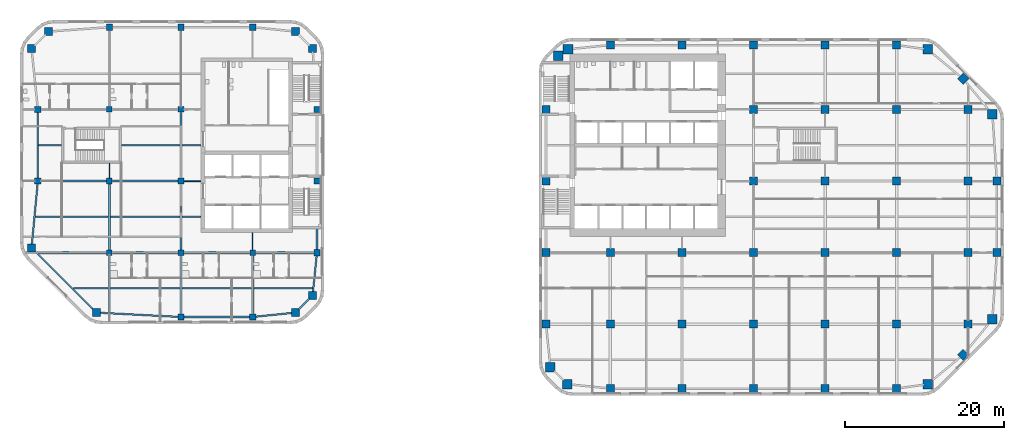
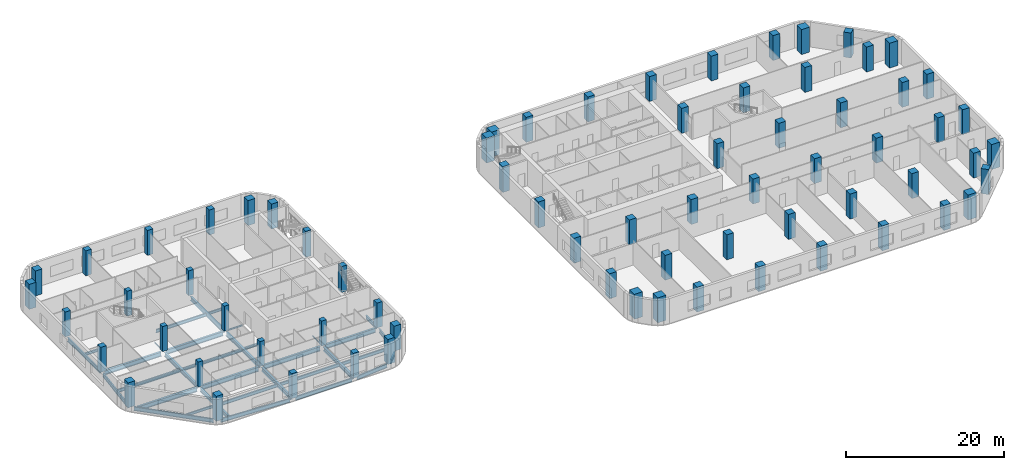
# One storey, part 1 of 16: 71 columns, 34 beams.
"""IFC4 building model written with IfcOpenShell, lengths in metres."""

import ifcopenshell
import ifcopenshell.guid

model = None  # the IFC model being written
_history = None  # IfcOwnerHistory: only IFC2X3 demands one
_inside = {}  # id of a spatial element -> (the spatial element, [elements in it])
_under = {}  # id of a project, library or spatial element -> (it, [spatial elements below it])
_declared = {}  # id of a project -> (the project, [libraries it declares])
_typed = {}  # id of a type object -> (the type object, [elements of that type])
_made_of = {}  # id of a material, layer set ... -> (it, [elements and type objects made of it])


def new_model(schema):
    """Start an empty IFC model of exactly this schema.

    Asked for "IFC4X3", IfcOpenShell would pick the latest addendum, in which some entities
    have other attributes; the version numbers below select the first issue.
    IFC2X3 requires an IfcOwnerHistory on every rooted entity: one is made here for all.
    """
    global model, _history
    if schema == "IFC4X3":
        model = ifcopenshell.file(schema_version=(4, 3, 0, 0))
    else:
        model = ifcopenshell.file(schema=schema)
    _inside.clear()
    _under.clear()
    _declared.clear()
    _typed.clear()
    _made_of.clear()
    _history = None
    if model.schema == "IFC2X3":
        org = make("IfcOrganization", Name="unknown")
        user = make(
            "IfcPersonAndOrganization",
            ThePerson=make("IfcPerson", FamilyName="unknown"),
            TheOrganization=org,
        )
        app = make(
            "IfcApplication",
            ApplicationDeveloper=org,
            Version="unknown",
            ApplicationFullName="unknown",
            ApplicationIdentifier="unknown",
        )
        _history = make(
            "IfcOwnerHistory",
            OwningUser=user,
            OwningApplication=app,
            ChangeAction="ADDED",
            CreationDate=0,
        )
    return model


def make(cls, **values):
    """One entity of the class cls with the attributes given. An attribute that is None is left unset."""
    return model.create_entity(
        cls, **{name: value for name, value in values.items() if value is not None}
    )


def rooted(cls, **values):
    """An entity with a GlobalId (a new one), such as an element, a storey or a relation."""
    return make(cls, GlobalId=ifcopenshell.guid.new(), OwnerHistory=_history, **values)


def si_unit(unit_type, name, prefix=None):
    """IfcSIUnit, for example si_unit("LENGTHUNIT", "METRE", prefix="MILLI")."""
    return make("IfcSIUnit", UnitType=unit_type, Prefix=prefix, Name=name)


def assignment(units):
    """IfcUnitAssignment: the units of a project."""
    return None if units is None else make("IfcUnitAssignment", Units=units)


def point(xyz):
    """IfcCartesianPoint."""
    return None if xyz is None else make("IfcCartesianPoint", Coordinates=xyz)


def direction(xyz):
    """IfcDirection."""
    return None if xyz is None else make("IfcDirection", DirectionRatios=xyz)


def frame(location, z_axis=None, x_axis=None):
    """IfcAxis2Placement3D, a coordinate frame: its origin and axes. An axis left out is left unset."""
    return make(
        "IfcAxis2Placement3D",
        Location=point(location),
        Axis=direction(z_axis),
        RefDirection=direction(x_axis),
    )


def frame_2d(location, x_axis=None):
    """IfcAxis2Placement2D, a coordinate frame in the plane: its origin and x axis."""
    return make(
        "IfcAxis2Placement2D", Location=point(location), RefDirection=direction(x_axis)
    )


def origin():
    """The frame at (0, 0, 0) with its axes left unset."""
    return frame((0.0, 0.0, 0.0))


def origin_2d():
    """The frame at (0, 0) in the plane with its x axis left unset."""
    return frame_2d((0.0, 0.0))


def place(relative_to, where):
    """IfcLocalPlacement: puts the frame where relative to a parent placement (None: the world)."""
    return make(
        "IfcLocalPlacement", PlacementRelTo=relative_to, RelativePlacement=where
    )


def context(
    kind, dimensions, precision=None, world=None, true_north=None, identifier=None
):
    """IfcGeometricRepresentationContext, for example the 3D "Model" context."""
    return make(
        "IfcGeometricRepresentationContext",
        ContextIdentifier=identifier,
        ContextType=kind,
        CoordinateSpaceDimension=dimensions,
        Precision=precision,
        WorldCoordinateSystem=world,
        TrueNorth=true_north,
    )


def subcontext(parent, identifier, kind, view, scale=None):
    """IfcGeometricRepresentationSubContext, for example "Body" below "Model"."""
    return make(
        "IfcGeometricRepresentationSubContext",
        ContextIdentifier=identifier,
        ContextType=kind,
        ParentContext=parent,
        TargetScale=scale,
        TargetView=view,
    )


def project(units=None, contexts=None):
    """IfcProject with its units and contexts."""
    return rooted(
        "IfcProject",
        Name="project",
        RepresentationContexts=contexts,
        UnitsInContext=assignment(units),
    )


def spatial(cls, under=None, at=None, **own):
    """A site, building, storey or space (cls), placed at a placement, below another one or the project."""
    s = rooted(cls, ObjectPlacement=at, **own)
    if under is not None:
        _under.setdefault(under.id(), (under, []))[1].append(s)
    return s


def profile(cls, at=None, kind="AREA", **sizes):
    """A parametric profile (cls). Its sizes go by their IFC names, for example OverallWidth=200.0."""
    return make(cls, ProfileType=kind, Position=at, **sizes)


def rectangle(**sizes):
    """IfcRectangleProfileDef."""
    return profile("IfcRectangleProfileDef", **sizes)


def i_section(**sizes):
    """IfcIShapeProfileDef."""
    return profile("IfcIShapeProfileDef", **sizes)


def extrude(swept, where, along, depth):
    """IfcExtrudedAreaSolid: the profile swept, set in the frame where, extruded along a direction by depth."""
    return make(
        "IfcExtrudedAreaSolid",
        SweptArea=swept,
        Position=where,
        ExtrudedDirection=direction(along),
        Depth=depth,
    )


def shape(context_of_items, identifier, shape_type, items):
    """IfcShapeRepresentation: the items that make up one representation, for example the "Body"."""
    return make(
        "IfcShapeRepresentation",
        ContextOfItems=context_of_items,
        RepresentationIdentifier=identifier,
        RepresentationType=shape_type,
        Items=items,
    )


def material(Name=None, Category=None):
    """IfcMaterial."""
    return make("IfcMaterial", Name=Name, Category=Category)


def material_profile(
    of_material, cross_section, Name=None, Category=None, Priority=None
):
    """IfcMaterialProfile: a cross section and its material."""
    return make(
        "IfcMaterialProfile",
        Name=Name,
        Material=of_material,
        Profile=cross_section,
        Priority=Priority,
        Category=Category,
    )


def profile_set(profiles, Name=None, composite=None):
    """IfcMaterialProfileSet."""
    return make(
        "IfcMaterialProfileSet",
        Name=Name,
        MaterialProfiles=profiles,
        CompositeProfile=composite,
    )


def made_of(thing, what):
    """Note that an element or type object is made of a material, layer set ...; save() writes the relation."""
    if what is not None:
        _made_of.setdefault(what.id(), (what, []))[1].append(thing)
    return thing


def type_object(cls, material=None, **own):
    """A type object (cls), such as IfcWallType, which elements share."""
    return made_of(rooted(cls, **own), material)


def element(
    cls,
    number,
    at=None,
    inside=None,
    cuts=None,
    type_object=None,
    material=None,
    context=None,
    identifier="Body",
    shape_type=None,
    held_by="IfcProductDefinitionShape",
    body=None,
    shapes=None,
    **own,
):
    """One element of the class cls, such as IfcWall. Its Tag is "e" and its number.

    at: its placement. inside: the storey or other place that contains it. cuts: it is an
    opening in that element (IfcRelVoidsElement). A single representation is given by context,
    identifier, shape_type and body (its items); several are given by shapes. held_by: the class
    of the entity that holds the representations. save() writes the other relations.
    """
    e = rooted(cls, Tag="e%d" % number, ObjectPlacement=at, **own)
    if body is not None:
        shapes = [shape(context, identifier, shape_type, body)]
    if shapes is not None:
        e.Representation = make(held_by, Representations=shapes)
    if inside is not None:
        _inside.setdefault(inside.id(), (inside, []))[1].append(e)
    if cuts is not None:
        rooted(
            "IfcRelVoidsElement", RelatingBuildingElement=cuts, RelatedOpeningElement=e
        )
    if type_object is not None:
        _typed.setdefault(type_object.id(), (type_object, []))[1].append(e)
    return made_of(e, material)


def aggregate(whole, parts):
    """IfcRelAggregates: a whole, such as a stair, and the parts it consists of."""
    return rooted("IfcRelAggregates", RelatingObject=whole, RelatedObjects=parts)


def save(model, path):
    """Write the relations noted so far, then the file.

    IfcRelAggregates (storeys below a building ...), IfcRelContainedInSpatialStructure (elements
    in a storey), IfcRelDefinesByType, IfcRelAssociatesMaterial and IfcRelDeclares: one each for
    every whole, place, type object, material and project.
    """
    for whole, parts in _under.values():
        aggregate(whole, parts)
    for where, things in _inside.values():
        rooted(
            "IfcRelContainedInSpatialStructure",
            RelatedElements=things,
            RelatingStructure=where,
        )
    for kind, things in _typed.values():
        rooted("IfcRelDefinesByType", RelatedObjects=things, RelatingType=kind)
    for what, things in _made_of.values():
        rooted("IfcRelAssociatesMaterial", RelatedObjects=things, RelatingMaterial=what)
    for by, libraries in _declared.values():
        rooted("IfcRelDeclares", RelatingContext=by, RelatedDefinitions=libraries)
    model.write(path)


model = new_model("IFC4")

# Units and contexts
model_context = context("Model", 3, precision=1e-05, world=origin(), true_north=direction((0.0, 1.0)))
body_context = subcontext(model_context, "Body", "Model", "MODEL_VIEW")
ifc_project = project(units=[si_unit("LENGTHUNIT", "METRE"), si_unit("AREAUNIT", "SQUARE_METRE"), si_unit("VOLUMEUNIT", "CUBIC_METRE"), si_unit("PLANEANGLEUNIT", "RADIAN"), si_unit("MASSUNIT", "GRAM", prefix="KILO")], contexts=[model_context])

# Site, building, storey
site_placement = place(None, origin())
site = spatial("IfcSite", under=ifc_project, at=site_placement, CompositionType="ELEMENT")
building_placement = place(site_placement, origin())
building = spatial("IfcBuilding", under=site, at=building_placement, Name="Cinnabar Reach Civic Tower", CompositionType="ELEMENT")
storey_placement = place(building_placement, frame((0.0, 0.0, 55.0)))
storey = spatial("IfcBuildingStorey", under=building, at=storey_placement, Name="L12", CompositionType="ELEMENT", Elevation=55.0)

# Columns
ifc_material_1 = material(Name="Concrete C70", Category="concrete")
ifc_material_profile_1 = material_profile(ifc_material_1, rectangle(XDim=1.0, YDim=1.0, at=origin_2d()), Name="RC1000")
ifc_profile_set_1 = profile_set([ifc_material_profile_1], Name="Concrete C70")
column_type_1 = type_object("IfcColumnType", Name="RC1000 column R 180", PredefinedType="COLUMN", material=ifc_profile_set_1)
for number, where, z_axis, x_axis, name in (
    (1, (-55.6481, 10.4531, 0.0), (0.0, 0.0, 1.0), (1.0, 0.0, 0.0), "Column T2-Z2-CC0"),
    (2, (-30.6019, 10.4531, 0.0), (0.0, 0.0, 1.0), (1.0, 0.0, 0.0), "Column T2-Z2-CC1"),
    (3, (-28.4531, 12.6019, 0.0), (0.0, 0.0, 1.0), (1.0, 0.0, 0.0), "Column T2-Z2-CC2"),
    (4, (-28.4531, 43.6481, 0.0), (0.0, 0.0, 1.0), (1.0, 0.0, 0.0), "Column T2-Z2-CC3"),
    (5, (-30.6019, 45.7969, 0.0), (0.0, 0.0, 1.0), (1.0, 0.0, 0.0), "Column T2-Z2-CC4"),
    (6, (-61.6481, 45.7969, 0.0), (0.0, 0.0, 1.0), (1.0, 0.0, 0.0), "Column T2-Z2-CC5"),
    (7, (-63.7969, 43.6481, 0.0), (0.0, 0.0, 1.0), (1.0, 0.0, 0.0), "Column T2-Z2-CC6"),
    (8, (-63.7969, 18.6019, 0.0), (0.0, 0.0, 1.0), (1.0, 0.0, 0.0), "Column T2-Z2-CC7"),
):
    element("IfcColumn", number, at=place(storey_placement, frame(where, z_axis=z_axis, x_axis=x_axis)), inside=storey, type_object=column_type_1, Name=name, PredefinedType="COLUMN", context=body_context, shape_type="SweptSolid", body=[
        extrude(rectangle(XDim=1.0, YDim=1.0, at=origin_2d()), origin(), (0.0, 0.0, 1.0), 3.85),
    ])
ifc_material_profile_2 = material_profile(ifc_material_1, rectangle(XDim=1.0, YDim=1.0, at=origin_2d()), Name="RC1000")
ifc_profile_set_2 = profile_set([ifc_material_profile_2], Name="Concrete C70")
column_type_2 = type_object("IfcColumnType", Name="RC1000 column R 240", PredefinedType="COLUMN", material=ifc_profile_set_2)
for number, where, z_axis, x_axis, name in (
    (9, (9.0, 0.9, 0.0), (0.0, 0.0, 1.0), (1.0, 0.0, 0.0), "Column T1-Z1-F0-1"),
    (10, (18.0, 0.9, 0.0), (0.0, 0.0, 1.0), (1.0, 0.0, 0.0), "Column T1-Z1-F0-2"),
    (11, (27.0, 0.9, 0.0), (0.0, 0.0, 1.0), (1.0, 0.0, 0.0), "Column T1-Z1-F0-3"),
    (12, (36.0, 0.9, 0.0), (0.0, 0.0, 1.0), (1.0, 0.0, 0.0), "Column T1-Z1-F0-4"),
    (13, (45.0, 0.9, 0.0), (0.0, 0.0, 1.0), (1.0, 0.0, 0.0), "Column T1-Z1-F0-5"),
    (14, (53.3636, 5.1364, 0.0), (0.0, 0.0, 1.0), (0.707106781187, 0.707106781187, 0.0), "Column T1-Z1-F1-M"),
    (15, (57.6, 18.0, 0.0), (0.0, 0.0, 1.0), (1.0, 0.0, 0.0), "Column T1-Z1-F2-2"),
    (16, (57.6, 27.0, 0.0), (0.0, 0.0, 1.0), (1.0, 0.0, 0.0), "Column T1-Z1-F2-3"),
    (17, (53.3636, 39.8636, 0.0), (0.0, 0.0, 1.0), (0.707106781187, 0.707106781187, 0.0), "Column T1-Z1-F3-M"),
    (18, (9.0, 44.1, 0.0), (0.0, 0.0, 1.0), (1.0, 0.0, 0.0), "Column T1-Z1-F4-1"),
    (19, (18.0, 44.1, 0.0), (0.0, 0.0, 1.0), (1.0, 0.0, 0.0), "Column T1-Z1-F4-2"),
    (20, (27.0, 44.1, 0.0), (0.0, 0.0, 1.0), (1.0, 0.0, 0.0), "Column T1-Z1-F4-3"),
    (21, (36.0, 44.1, 0.0), (0.0, 0.0, 1.0), (1.0, 0.0, 0.0), "Column T1-Z1-F4-4"),
    (22, (45.0, 44.1, 0.0), (0.0, 0.0, 1.0), (1.0, 0.0, 0.0), "Column T1-Z1-F4-5"),
    (23, (0.9, 9.0, 0.0), (0.0, 0.0, 1.0), (1.0, 0.0, 0.0), "Column T1-Z1-F6-1"),
    (24, (0.9, 18.0, 0.0), (0.0, 0.0, 1.0), (1.0, 0.0, 0.0), "Column T1-Z1-F6-2"),
):
    element("IfcColumn", number, at=place(storey_placement, frame(where, z_axis=z_axis, x_axis=x_axis)), inside=storey, type_object=column_type_2, Name=name, PredefinedType="COLUMN", context=body_context, shape_type="SweptSolid", body=[
        extrude(rectangle(XDim=1.0, YDim=1.0, at=origin_2d()), origin(), (0.0, 0.0, 1.0), 3.85),
    ])
for number, where, z_axis, x_axis, name in (
    (25, (0.9, 27.0, 0.0), (0.0, 0.0, 1.0), (1.0, 0.0, 0.0), "Column T1-Z1-F6-3"),
    (26, (0.9, 36.0, 0.0), (0.0, 0.0, 1.0), (1.0, 0.0, 0.0), "Column T1-Z1-F6-4"),
):
    element("IfcColumn", number, at=place(storey_placement, frame(where, z_axis=z_axis, x_axis=x_axis)), inside=storey, type_object=column_type_2, Name=name, PredefinedType="COLUMN", context=body_context, shape_type="SweptSolid", body=[
        extrude(rectangle(XDim=1.0, YDim=1.0, at=origin_2d()), origin(), (0.0, 0.0, 1.0), 4.0),
    ])
for number, where, z_axis, x_axis, name in (
    (27, (9.0, 9.0, 0.0), (0.0, 0.0, 1.0), (1.0, 0.0, 0.0), "Column T1-Z1-I9_9"),
    (28, (9.0, 18.0, 0.0), (0.0, 0.0, 1.0), (1.0, 0.0, 0.0), "Column T1-Z1-I9_18"),
    (29, (18.0, 9.0, 0.0), (0.0, 0.0, 1.0), (1.0, 0.0, 0.0), "Column T1-Z1-I18_9"),
    (30, (18.0, 18.0, 0.0), (0.0, 0.0, 1.0), (1.0, 0.0, 0.0), "Column T1-Z1-I18_18"),
    (31, (27.0, 9.0, 0.0), (0.0, 0.0, 1.0), (1.0, 0.0, 0.0), "Column T1-Z1-I27_9"),
    (32, (27.0, 18.0, 0.0), (0.0, 0.0, 1.0), (1.0, 0.0, 0.0), "Column T1-Z1-I27_18"),
    (33, (27.0, 27.0, 0.0), (0.0, 0.0, 1.0), (1.0, 0.0, 0.0), "Column T1-Z1-I27_27"),
    (34, (27.0, 36.0, 0.0), (0.0, 0.0, 1.0), (1.0, 0.0, 0.0), "Column T1-Z1-I27_36"),
    (35, (36.0, 9.0, 0.0), (0.0, 0.0, 1.0), (1.0, 0.0, 0.0), "Column T1-Z1-I36_9"),
    (36, (36.0, 18.0, 0.0), (0.0, 0.0, 1.0), (1.0, 0.0, 0.0), "Column T1-Z1-I36_18"),
    (37, (36.0, 27.0, 0.0), (0.0, 0.0, 1.0), (1.0, 0.0, 0.0), "Column T1-Z1-I36_27"),
    (38, (36.0, 36.0, 0.0), (0.0, 0.0, 1.0), (1.0, 0.0, 0.0), "Column T1-Z1-I36_36"),
    (39, (45.0, 9.0, 0.0), (0.0, 0.0, 1.0), (1.0, 0.0, 0.0), "Column T1-Z1-I45_9"),
    (40, (45.0, 18.0, 0.0), (0.0, 0.0, 1.0), (1.0, 0.0, 0.0), "Column T1-Z1-I45_18"),
    (41, (45.0, 27.0, 0.0), (0.0, 0.0, 1.0), (1.0, 0.0, 0.0), "Column T1-Z1-I45_27"),
    (42, (45.0, 36.0, 0.0), (0.0, 0.0, 1.0), (1.0, 0.0, 0.0), "Column T1-Z1-I45_36"),
    (43, (54.0, 9.0, 0.0), (0.0, 0.0, 1.0), (1.0, 0.0, 0.0), "Column T1-Z1-I54_9"),
    (44, (54.0, 18.0, 0.0), (0.0, 0.0, 1.0), (1.0, 0.0, 0.0), "Column T1-Z1-I54_18"),
    (45, (54.0, 27.0, 0.0), (0.0, 0.0, 1.0), (1.0, 0.0, 0.0), "Column T1-Z1-I54_27"),
    (46, (54.0, 36.0, 0.0), (0.0, 0.0, 1.0), (1.0, 0.0, 0.0), "Column T1-Z1-I54_36"),
):
    element("IfcColumn", number, at=place(storey_placement, frame(where, z_axis=z_axis, x_axis=x_axis)), inside=storey, type_object=column_type_2, Name=name, PredefinedType="COLUMN", context=body_context, shape_type="SweptSolid", body=[
        extrude(rectangle(XDim=1.0, YDim=1.0, at=origin_2d()), origin(), (0.0, 0.0, 1.0), 3.85),
    ])
ifc_material_2 = material(Name="Concrete C80", Category="concrete")
ifc_material_profile_3 = material_profile(ifc_material_2, rectangle(XDim=1.2, YDim=1.2, at=origin_2d()), Name="RC1200")
ifc_profile_set_3 = profile_set([ifc_material_profile_3], Name="Concrete C80")
column_type_3 = type_object("IfcColumnType", Name="RC1200 column R 240", PredefinedType="COLUMN", material=ifc_profile_set_3)
for number, where, z_axis, x_axis, name in (
    (47, (3.6019, 1.4531, 0.0), (0.0, 0.0, 1.0), (1.0, 0.0, 0.0), "Column T1-Z1-CC0"),
    (48, (48.8981, 1.4531, 0.0), (0.0, 0.0, 1.0), (1.0, 0.0, 0.0), "Column T1-Z1-CC1"),
    (49, (57.0469, 9.6019, 0.0), (0.0, 0.0, 1.0), (1.0, 0.0, 0.0), "Column T1-Z1-CC2"),
    (50, (57.0469, 35.3981, 0.0), (0.0, 0.0, 1.0), (1.0, 0.0, 0.0), "Column T1-Z1-CC3"),
    (51, (48.8981, 43.5469, 0.0), (0.0, 0.0, 1.0), (1.0, 0.0, 0.0), "Column T1-Z1-CC4"),
    (52, (3.6666, 43.5737, 0.0), (0.0, 0.0, 1.0), (1.0, 0.0, 0.0), "Column T1-Z1-CC5"),
    (53, (2.4631, 42.75, 0.0), (0.0, 0.0, 1.0), (1.0, 0.0, 0.0), "Column T1-Z1-CC6"),
    (54, (1.4531, 3.6019, 0.0), (0.0, 0.0, 1.0), (1.0, 0.0, 0.0), "Column T1-Z1-CC7"),
):
    element("IfcColumn", number, at=place(storey_placement, frame(where, z_axis=z_axis, x_axis=x_axis)), inside=storey, type_object=column_type_3, Name=name, PredefinedType="COLUMN", context=body_context, shape_type="SweptSolid", body=[
        extrude(rectangle(XDim=1.2, YDim=1.2, at=origin_2d()), origin(), (0.0, 0.0, 1.0), 3.85),
    ])
ifc_material_3 = material(Name="Concrete C60", Category="concrete")
ifc_material_profile_4 = material_profile(ifc_material_3, rectangle(XDim=0.7, YDim=0.7, at=origin_2d()), Name="RC700")
ifc_profile_set_4 = profile_set([ifc_material_profile_4], Name="Concrete C60")
column_type_4 = type_object("IfcColumnType", Name="RC700 column R 180", PredefinedType="COLUMN", material=ifc_profile_set_4)
for number, where, z_axis, x_axis, name in (
    (55, (-54.0, 18.0, 0.0), (0.0, 0.0, 1.0), (1.0, 0.0, 0.0), "Column T2-Z2-I-54_18"),
    (56, (-54.0, 27.0, 0.0), (0.0, 0.0, 1.0), (1.0, 0.0, 0.0), "Column T2-Z2-I-54_27"),
    (57, (-54.0, 36.0, 0.0), (0.0, 0.0, 1.0), (1.0, 0.0, 0.0), "Column T2-Z2-I-54_36"),
    (58, (-45.0, 18.0, 0.0), (0.0, 0.0, 1.0), (1.0, 0.0, 0.0), "Column T2-Z2-I-45_18"),
    (59, (-45.0, 27.0, 0.0), (0.0, 0.0, 1.0), (1.0, 0.0, 0.0), "Column T2-Z2-I-45_27"),
    (60, (-45.0, 36.0, 0.0), (0.0, 0.0, 1.0), (1.0, 0.0, 0.0), "Column T2-Z2-I-45_36"),
    (61, (-36.0, 18.0, 0.0), (0.0, 0.0, 1.0), (1.0, 0.0, 0.0), "Column T2-Z2-I-36_18"),
):
    element("IfcColumn", number, at=place(storey_placement, frame(where, z_axis=z_axis, x_axis=x_axis)), inside=storey, type_object=column_type_4, Name=name, PredefinedType="COLUMN", context=body_context, shape_type="SweptSolid", body=[
        extrude(rectangle(XDim=0.7, YDim=0.7, at=origin_2d()), origin(), (0.0, 0.0, 1.0), 3.85),
    ])
ifc_material_profile_5 = material_profile(ifc_material_3, rectangle(XDim=0.8, YDim=0.8, at=origin_2d()), Name="RC800")
ifc_profile_set_5 = profile_set([ifc_material_profile_5], Name="Concrete C60")
column_type_5 = type_object("IfcColumnType", Name="RC800 column R 180", PredefinedType="COLUMN", material=ifc_profile_set_5)
for number, where, z_axis, x_axis, name in (
    (62, (-45.0, 9.9, 0.0), (0.0, 0.0, 1.0), (1.0, 0.0, 0.0), "Column T2-Z2-F0--5"),
    (63, (-36.0, 9.9, 0.0), (0.0, 0.0, 1.0), (1.0, 0.0, 0.0), "Column T2-Z2-F0--4"),
    (64, (-27.9, 18.0, 0.0), (0.0, 0.0, 1.0), (1.0, 0.0, 0.0), "Column T2-Z2-F2-2"),
):
    element("IfcColumn", number, at=place(storey_placement, frame(where, z_axis=z_axis, x_axis=x_axis)), inside=storey, type_object=column_type_5, Name=name, PredefinedType="COLUMN", context=body_context, shape_type="SweptSolid", body=[
        extrude(rectangle(XDim=0.8, YDim=0.8, at=origin_2d()), origin(), (0.0, 0.0, 1.0), 3.85),
    ])
for number, where, z_axis, x_axis, name in (
    (65, (-27.9, 27.0, 0.0), (0.0, 0.0, 1.0), (1.0, 0.0, 0.0), "Column T2-Z2-F2-3"),
    (66, (-27.9, 36.0, 0.0), (0.0, 0.0, 1.0), (1.0, 0.0, 0.0), "Column T2-Z2-F2-4"),
):
    element("IfcColumn", number, at=place(storey_placement, frame(where, z_axis=z_axis, x_axis=x_axis)), inside=storey, type_object=column_type_5, Name=name, PredefinedType="COLUMN", context=body_context, shape_type="SweptSolid", body=[
        extrude(rectangle(XDim=0.8, YDim=0.8, at=origin_2d()), origin(), (0.0, 0.0, 1.0), 4.0),
    ])
for number, where, z_axis, x_axis, name in (
    (67, (-54.0, 46.35, 0.0), (0.0, 0.0, 1.0), (1.0, 0.0, 0.0), "Column T2-Z2-F4--6"),
    (68, (-45.0, 46.35, 0.0), (0.0, 0.0, 1.0), (1.0, 0.0, 0.0), "Column T2-Z2-F4--5"),
    (69, (-36.0, 46.35, 0.0), (0.0, 0.0, 1.0), (1.0, 0.0, 0.0), "Column T2-Z2-F4--4"),
    (70, (-63.0, 27.0, 0.0), (0.0, 0.0, 1.0), (1.0, 0.0, 0.0), "Column T2-Z2-F6-3"),
    (71, (-63.0, 36.0, 0.0), (0.0, 0.0, 1.0), (1.0, 0.0, 0.0), "Column T2-Z2-F6-4"),
):
    element("IfcColumn", number, at=place(storey_placement, frame(where, z_axis=z_axis, x_axis=x_axis)), inside=storey, type_object=column_type_5, Name=name, PredefinedType="COLUMN", context=body_context, shape_type="SweptSolid", body=[
        extrude(rectangle(XDim=0.8, YDim=0.8, at=origin_2d()), origin(), (0.0, 0.0, 1.0), 3.85),
    ])

# Beams
ifc_material_4 = material(Name="Steel Q355B", Category="steel")
ifc_material_profile_6 = material_profile(ifc_material_4, i_section(OverallWidth=0.302, OverallDepth=0.594, WebThickness=0.014, FlangeThickness=0.023, FilletRadius=0.016, at=origin_2d()), Name="HM594x302x14x23")
ifc_profile_set_6 = profile_set([ifc_material_profile_6], Name="Steel Q355B")
beam_type_1 = type_object("IfcBeamType", Name="HM594x302x14x23 beam R 120", PredefinedType="BEAM", material=ifc_profile_set_6)
beam_1_placement = place(storey_placement, frame((-54.0, 10.4696, -0.447), z_axis=(0.0, 1.0, 0.0), x_axis=(-1.0, 0.0, 0.0)))
element("IfcBeam", 72, at=beam_1_placement, inside=storey, type_object=beam_type_1, Name="Girder T2 L12 1", PredefinedType="BEAM", context=body_context, shape_type="SweptSolid", body=[
    extrude(i_section(OverallWidth=0.302, OverallDepth=0.594, WebThickness=0.014, FlangeThickness=0.023, FilletRadius=0.016, at=origin_2d()), origin(), (0.0, 0.0, 1.0), 7.1784),
])
beam_2_placement = place(storey_placement, frame((-54.0, 18.352, -0.447), z_axis=(0.0, 1.0, 0.0), x_axis=(-1.0, 0.0, 0.0)))
element("IfcBeam", 73, at=beam_2_placement, inside=storey, type_object=beam_type_1, Name="Girder T2 L12 2", PredefinedType="BEAM", context=body_context, shape_type="SweptSolid", body=[
    extrude(i_section(OverallWidth=0.302, OverallDepth=0.594, WebThickness=0.014, FlangeThickness=0.023, FilletRadius=0.016, at=origin_2d()), origin(), (0.0, 0.0, 1.0), 8.296),
])
beam_3_placement = place(storey_placement, frame((-45.0, 10.302, -0.447), z_axis=(0.0, 1.0, 0.0), x_axis=(-1.0, 0.0, 0.0)))
element("IfcBeam", 74, at=beam_3_placement, inside=storey, type_object=beam_type_1, Name="Girder T2 L12 6", PredefinedType="BEAM", context=body_context, shape_type="SweptSolid", body=[
    extrude(i_section(OverallWidth=0.302, OverallDepth=0.594, WebThickness=0.014, FlangeThickness=0.023, FilletRadius=0.016, at=origin_2d()), origin(), (0.0, 0.0, 1.0), 7.346),
])
for number, where, z_axis, x_axis, name in (
    (75, (-45.0, 18.352, -0.447), (0.0, 1.0, 0.0), (-1.0, 0.0, 0.0), "Girder T2 L12 7"),
    (76, (-45.0, 27.352, -0.447), (0.0, 1.0, 0.0), (-1.0, 0.0, 0.0), "Girder T2 L12 8"),
):
    element("IfcBeam", number, at=place(storey_placement, frame(where, z_axis=z_axis, x_axis=x_axis)), inside=storey, type_object=beam_type_1, Name=name, PredefinedType="BEAM", context=body_context, shape_type="SweptSolid", body=[
        extrude(i_section(OverallWidth=0.302, OverallDepth=0.594, WebThickness=0.014, FlangeThickness=0.023, FilletRadius=0.016, at=origin_2d()), origin(), (0.0, 0.0, 1.0), 8.296),
    ])
beam_4_placement = place(storey_placement, frame((-36.0, 10.302, -0.447), z_axis=(0.0, 1.0, 0.0), x_axis=(-1.0, 0.0, 0.0)))
element("IfcBeam", 77, at=beam_4_placement, inside=storey, type_object=beam_type_1, Name="Girder T2 L12 10", PredefinedType="BEAM", context=body_context, shape_type="SweptSolid", body=[
    extrude(i_section(OverallWidth=0.302, OverallDepth=0.594, WebThickness=0.014, FlangeThickness=0.023, FilletRadius=0.016, at=origin_2d()), origin(), (0.0, 0.0, 1.0), 7.346),
])
ifc_material_profile_7 = material_profile(ifc_material_4, i_section(OverallWidth=0.099, OverallDepth=0.198, WebThickness=0.0045, FlangeThickness=0.007, FilletRadius=0.013, at=origin_2d()), Name="HN200x100x5.5x8")
ifc_profile_set_7 = profile_set([ifc_material_profile_7], Name="Steel Q355B")
beam_type_2 = type_object("IfcBeamType", Name="HN200x100x5.5x8 beam R 120", PredefinedType="BEAM", material=ifc_profile_set_7)
beam_5_placement = place(storey_placement, frame((-54.0, 27.352, -0.249), z_axis=(0.0, 1.0, 0.0), x_axis=(-1.0, 0.0, 0.0)))
element("IfcBeam", 78, at=beam_5_placement, inside=storey, type_object=beam_type_2, Name="Girder T2 L12 3", PredefinedType="BEAM", context=body_context, shape_type="SweptSolid", body=[
    extrude(i_section(OverallWidth=0.099, OverallDepth=0.198, WebThickness=0.0045, FlangeThickness=0.007, FilletRadius=0.013, at=origin_2d()), origin(), (0.0, 0.0, 1.0), 1.896),
])
beam_6_placement = place(storey_placement, frame((-36.0, 18.352, -0.249), z_axis=(0.0, 1.0, 0.0), x_axis=(-1.0, 0.0, 0.0)))
element("IfcBeam", 79, at=beam_6_placement, inside=storey, type_object=beam_type_2, Name="Girder T2 L12 11", PredefinedType="BEAM", context=body_context, shape_type="SweptSolid", body=[
    extrude(i_section(OverallWidth=0.099, OverallDepth=0.198, WebThickness=0.0045, FlangeThickness=0.007, FilletRadius=0.013, at=origin_2d()), origin(), (0.0, 0.0, 1.0), 2.146),
])
ifc_material_profile_8 = material_profile(ifc_material_4, i_section(OverallWidth=0.124, OverallDepth=0.248, WebThickness=0.005, FlangeThickness=0.008, FilletRadius=0.013, at=origin_2d()), Name="HN250x125x6x9")
ifc_profile_set_8 = profile_set([ifc_material_profile_8], Name="Steel Q355B")
beam_type_3 = type_object("IfcBeamType", Name="HN250x125x6x9 beam R 120", PredefinedType="BEAM", material=ifc_profile_set_8)
beam_7_placement = place(storey_placement, frame((-44.648, 27.0, -0.274), z_axis=(1.0, 0.0, 0.0), x_axis=(0.0, 1.0, 0.0)))
element("IfcBeam", 80, at=beam_7_placement, inside=storey, type_object=beam_type_3, Name="Girder T2 L12 7", PredefinedType="BEAM", context=body_context, shape_type="SweptSolid", body=[
    extrude(i_section(OverallWidth=0.124, OverallDepth=0.248, WebThickness=0.005, FlangeThickness=0.008, FilletRadius=0.013, at=origin_2d()), origin(), (0.0, 0.0, 1.0), 2.146),
])
ifc_material_profile_9 = material_profile(ifc_material_4, i_section(OverallWidth=0.199, OverallDepth=0.396, WebThickness=0.007, FlangeThickness=0.011, FilletRadius=0.013, at=origin_2d()), Name="HN396x199x7x11")
ifc_profile_set_9 = profile_set([ifc_material_profile_9], Name="Steel Q355B")
beam_type_4 = type_object("IfcBeamType", Name="HN396x199x7x11 beam R 120", PredefinedType="BEAM", material=ifc_profile_set_9)
beam_8_placement = place(storey_placement, frame((-58.5508, 13.5, -0.348), z_axis=(1.0, 0.0, 0.0), x_axis=(0.0, 1.0, 0.0)))
element("IfcBeam", 81, at=beam_8_placement, inside=storey, type_object=beam_type_4, Name="Secondary beam T2 L12 1", PredefinedType="BEAM", context=body_context, shape_type="SweptSolid", body=[
    extrude(i_section(OverallWidth=0.199, OverallDepth=0.396, WebThickness=0.007, FlangeThickness=0.011, FilletRadius=0.013, at=origin_2d()), origin(), (0.0, 0.0, 1.0), 4.3978),
])
beam_9_placement = place(storey_placement, frame((-44.847, 22.5, -0.348), z_axis=(1.0, 0.0, 0.0), x_axis=(0.0, 1.0, 0.0)))
element("IfcBeam", 82, at=beam_9_placement, inside=storey, type_object=beam_type_4, Name="Secondary beam T2 L12 7", PredefinedType="BEAM", context=body_context, shape_type="SweptSolid", body=[
    extrude(i_section(OverallWidth=0.199, OverallDepth=0.396, WebThickness=0.007, FlangeThickness=0.011, FilletRadius=0.013, at=origin_2d()), origin(), (0.0, 0.0, 1.0), 2.345),
])
beam_10_placement = place(storey_placement, frame((-62.898, 31.5, -0.348), z_axis=(1.0, 0.0, 0.0), x_axis=(0.0, 1.0, 0.0)))
element("IfcBeam", 83, at=beam_10_placement, inside=storey, type_object=beam_type_4, Name="Secondary beam T2 L12 8", PredefinedType="BEAM", context=body_context, shape_type="SweptSolid", body=[
    extrude(i_section(OverallWidth=0.199, OverallDepth=0.396, WebThickness=0.007, FlangeThickness=0.011, FilletRadius=0.013, at=origin_2d()), origin(), (0.0, 0.0, 1.0), 2.896),
])
beam_11_placement = place(storey_placement, frame((-44.847, 31.5, -0.348), z_axis=(1.0, 0.0, 0.0), x_axis=(0.0, 1.0, 0.0)))
element("IfcBeam", 84, at=beam_11_placement, inside=storey, type_object=beam_type_4, Name="Secondary beam T2 L12 10", PredefinedType="BEAM", context=body_context, shape_type="SweptSolid", body=[
    extrude(i_section(OverallWidth=0.199, OverallDepth=0.396, WebThickness=0.007, FlangeThickness=0.011, FilletRadius=0.013, at=origin_2d()), origin(), (0.0, 0.0, 1.0), 2.345),
])
ifc_material_profile_10 = material_profile(ifc_material_4, i_section(OverallWidth=0.199, OverallDepth=0.496, WebThickness=0.009, FlangeThickness=0.014, FilletRadius=0.016, at=origin_2d()), Name="HN496x199x9x14")
ifc_profile_set_10 = profile_set([ifc_material_profile_10], Name="Steel Q355B")
beam_type_5 = type_object("IfcBeamType", Name="HN496x199x9x14 beam R 120", PredefinedType="BEAM", material=ifc_profile_set_10)
for number, where, z_axis, x_axis, name in (
    (85, (-53.847, 13.5, -0.398), (1.0, 0.0, 0.0), (0.0, 1.0, 0.0), "Secondary beam T2 L12 2"),
    (86, (-44.847, 13.5, -0.398), (1.0, 0.0, 0.0), (0.0, 1.0, 0.0), "Secondary beam T2 L12 3"),
):
    element("IfcBeam", number, at=place(storey_placement, frame(where, z_axis=z_axis, x_axis=x_axis)), inside=storey, type_object=beam_type_5, Name=name, PredefinedType="BEAM", context=body_context, shape_type="SweptSolid", body=[
        extrude(i_section(OverallWidth=0.199, OverallDepth=0.496, WebThickness=0.009, FlangeThickness=0.014, FilletRadius=0.016, at=origin_2d()), origin(), (0.0, 0.0, 1.0), 8.694),
    ])
beam_12_placement = place(storey_placement, frame((-35.847, 13.5, -0.398), z_axis=(1.0, 0.0, 0.0), x_axis=(0.0, 1.0, 0.0)))
element("IfcBeam", 87, at=beam_12_placement, inside=storey, type_object=beam_type_5, Name="Secondary beam T2 L12 4", PredefinedType="BEAM", context=body_context, shape_type="SweptSolid", body=[
    extrude(i_section(OverallWidth=0.199, OverallDepth=0.496, WebThickness=0.009, FlangeThickness=0.014, FilletRadius=0.016, at=origin_2d()), origin(), (0.0, 0.0, 1.0), 7.3834),
])
beam_13_placement = place(storey_placement, frame((-63.3245, 22.5, -0.398), z_axis=(1.0, 0.0, 0.0), x_axis=(0.0, 1.0, 0.0)))
element("IfcBeam", 88, at=beam_13_placement, inside=storey, type_object=beam_type_5, Name="Secondary beam T2 L12 5", PredefinedType="BEAM", context=body_context, shape_type="SweptSolid", body=[
    extrude(i_section(OverallWidth=0.199, OverallDepth=0.496, WebThickness=0.009, FlangeThickness=0.014, FilletRadius=0.016, at=origin_2d()), origin(), (0.0, 0.0, 1.0), 9.1715),
])
beam_14_placement = place(storey_placement, frame((-53.847, 22.5, -0.398), z_axis=(1.0, 0.0, 0.0), x_axis=(0.0, 1.0, 0.0)))
element("IfcBeam", 89, at=beam_14_placement, inside=storey, type_object=beam_type_5, Name="Secondary beam T2 L12 6", PredefinedType="BEAM", context=body_context, shape_type="SweptSolid", body=[
    extrude(i_section(OverallWidth=0.199, OverallDepth=0.496, WebThickness=0.009, FlangeThickness=0.014, FilletRadius=0.016, at=origin_2d()), origin(), (0.0, 0.0, 1.0), 8.694),
])
beam_15_placement = place(storey_placement, frame((-52.498, 31.5, -0.398), z_axis=(1.0, 0.0, 0.0), x_axis=(0.0, 1.0, 0.0)))
element("IfcBeam", 90, at=beam_15_placement, inside=storey, type_object=beam_type_5, Name="Secondary beam T2 L12 9", PredefinedType="BEAM", context=body_context, shape_type="SweptSolid", body=[
    extrude(i_section(OverallWidth=0.199, OverallDepth=0.496, WebThickness=0.009, FlangeThickness=0.014, FilletRadius=0.016, at=origin_2d()), origin(), (0.0, 0.0, 1.0), 7.345),
])
ifc_material_profile_11 = material_profile(ifc_material_4, i_section(OverallWidth=0.2, OverallDepth=0.6, WebThickness=0.011, FlangeThickness=0.017, FilletRadius=0.016, at=origin_2d()), Name="HN600x200x11x17")
ifc_profile_set_11 = profile_set([ifc_material_profile_11], Name="Steel Q355B")
beam_type_6 = type_object("IfcBeamType", Name="HN600x200x11x17 beam R 120", PredefinedType="BEAM", material=ifc_profile_set_11)
beam_16_placement = place(storey_placement, frame((-55.2661, 10.4333, -0.45), z_axis=(0.998653533726, -0.051876001934, 0.0), x_axis=(0.051876001934, 0.998653533726, 0.0)))
element("IfcBeam", 91, at=beam_16_placement, inside=storey, type_object=beam_type_6, Name="Edge beam T2 L12 1", PredefinedType="BEAM", context=body_context, shape_type="SweptSolid", body=[
    extrude(i_section(OverallWidth=0.2, OverallDepth=0.6, WebThickness=0.011, FlangeThickness=0.017, FilletRadius=0.016, at=origin_2d()), origin(), (0.0, 0.0, 1.0), 9.8774),
])
beam_17_placement = place(storey_placement, frame((-44.598, 9.9, -0.45), z_axis=(1.0, 0.0, 0.0), x_axis=(0.0, 1.0, 0.0)))
element("IfcBeam", 92, at=beam_17_placement, inside=storey, type_object=beam_type_6, Name="Edge beam T2 L12 2", PredefinedType="BEAM", context=body_context, shape_type="SweptSolid", body=[
    extrude(i_section(OverallWidth=0.2, OverallDepth=0.6, WebThickness=0.011, FlangeThickness=0.017, FilletRadius=0.016, at=origin_2d()), origin(), (0.0, 0.0, 1.0), 8.196),
])
beam_18_placement = place(storey_placement, frame((-35.598, 9.9412, -0.45), z_axis=(0.994791084875, 0.101934770579, 0.0), x_axis=(-0.101934770579, 0.994791084875, 0.0)))
element("IfcBeam", 93, at=beam_18_placement, inside=storey, type_object=beam_type_6, Name="Edge beam T2 L12 3", PredefinedType="BEAM", context=body_context, shape_type="SweptSolid", body=[
    extrude(i_section(OverallWidth=0.2, OverallDepth=0.6, WebThickness=0.011, FlangeThickness=0.017, FilletRadius=0.016, at=origin_2d()), origin(), (0.0, 0.0, 1.0), 4.6383),
])
beam_19_placement = place(storey_placement, frame((-30.2199, 10.8351, -0.45), z_axis=(0.707106781187, 0.707106781187, 0.0), x_axis=(-0.707106781187, 0.707106781187, 0.0)))
element("IfcBeam", 94, at=beam_19_placement, inside=storey, type_object=beam_type_6, Name="Edge beam T2 L12 4", PredefinedType="BEAM", context=body_context, shape_type="SweptSolid", body=[
    extrude(i_section(OverallWidth=0.2, OverallDepth=0.6, WebThickness=0.011, FlangeThickness=0.017, FilletRadius=0.016, at=origin_2d()), origin(), (0.0, 0.0, 1.0), 1.9584),
])
beam_20_placement = place(storey_placement, frame((-28.414, 12.9839, -0.45), z_axis=(0.101934770579, 0.994791084875, 0.0), x_axis=(-0.994791084875, 0.101934770579, 0.0)))
element("IfcBeam", 95, at=beam_20_placement, inside=storey, type_object=beam_type_6, Name="Edge beam T2 L12 5", PredefinedType="BEAM", context=body_context, shape_type="SweptSolid", body=[
    extrude(i_section(OverallWidth=0.2, OverallDepth=0.6, WebThickness=0.011, FlangeThickness=0.017, FilletRadius=0.016, at=origin_2d()), origin(), (0.0, 0.0, 1.0), 4.6383),
])
beam_21_placement = place(storey_placement, frame((-27.9, 18.402, -0.45), z_axis=(0.0, 1.0, 0.0), x_axis=(-1.0, 0.0, 0.0)))
element("IfcBeam", 96, at=beam_21_placement, inside=storey, type_object=beam_type_6, Name="Edge beam T2 L12 6", PredefinedType="BEAM", context=body_context, shape_type="SweptSolid", body=[
    extrude(i_section(OverallWidth=0.2, OverallDepth=0.6, WebThickness=0.011, FlangeThickness=0.017, FilletRadius=0.016, at=origin_2d()), origin(), (0.0, 0.0, 1.0), 2.596),
])
beam_22_placement = place(storey_placement, frame((-63.0, 35.598, -0.45), z_axis=(0.0, -1.0, 0.0), x_axis=(1.0, 0.0, 0.0)))
element("IfcBeam", 97, at=beam_22_placement, inside=storey, type_object=beam_type_6, Name="Edge beam T2 L12 16", PredefinedType="BEAM", context=body_context, shape_type="SweptSolid", body=[
    extrude(i_section(OverallWidth=0.2, OverallDepth=0.6, WebThickness=0.011, FlangeThickness=0.017, FilletRadius=0.016, at=origin_2d()), origin(), (0.0, 0.0, 1.0), 8.196),
])
beam_23_placement = place(storey_placement, frame((-63.0381, 26.598, -0.45), z_axis=(-0.094478368886, -0.99552691466, 0.0), x_axis=(0.99552691466, -0.094478368886, 0.0)))
element("IfcBeam", 98, at=beam_23_placement, inside=storey, type_object=beam_type_6, Name="Edge beam T2 L12 17", PredefinedType="BEAM", context=body_context, shape_type="SweptSolid", body=[
    extrude(i_section(OverallWidth=0.2, OverallDepth=0.6, WebThickness=0.011, FlangeThickness=0.017, FilletRadius=0.016, at=origin_2d()), origin(), (0.0, 0.0, 1.0), 7.6483),
])
beam_24_placement = place(storey_placement, frame((-63.4149, 18.2199, -0.45), z_axis=(0.707106781187, -0.707106781187, 0.0), x_axis=(0.707106781187, 0.707106781187, 0.0)))
element("IfcBeam", 99, at=beam_24_placement, inside=storey, type_object=beam_type_6, Name="Edge beam T2 L12 18", PredefinedType="BEAM", context=body_context, shape_type="SweptSolid", body=[
    extrude(i_section(OverallWidth=0.2, OverallDepth=0.6, WebThickness=0.011, FlangeThickness=0.017, FilletRadius=0.016, at=origin_2d()), origin(), (0.0, 0.0, 1.0), 10.4437),
])
ifc_material_profile_12 = material_profile(ifc_material_4, i_section(OverallWidth=0.3, OverallDepth=0.692, WebThickness=0.013, FlangeThickness=0.02, FilletRadius=0.016, at=origin_2d()), Name="HN692x300x13x20")
ifc_profile_set_12 = profile_set([ifc_material_profile_12], Name="Steel Q355B")
beam_type_7 = type_object("IfcBeamType", Name="HN692x300x13x20 beam R 120", PredefinedType="BEAM", material=ifc_profile_set_12)
beam_25_placement = place(storey_placement, frame((-63.0508, 18.0, -0.496), z_axis=(1.0, 0.0, 0.0), x_axis=(0.0, 1.0, 0.0)))
element("IfcBeam", 100, at=beam_25_placement, inside=storey, type_object=beam_type_7, Name="Girder T2 L12 1", PredefinedType="BEAM", context=body_context, shape_type="SweptSolid", body=[
    extrude(i_section(OverallWidth=0.3, OverallDepth=0.692, WebThickness=0.013, FlangeThickness=0.02, FilletRadius=0.016, at=origin_2d()), origin(), (0.0, 0.0, 1.0), 8.6988),
])
for number, where, z_axis, x_axis, name in (
    (101, (-53.648, 18.0, -0.496), (1.0, 0.0, 0.0), (0.0, 1.0, 0.0), "Girder T2 L12 2"),
    (102, (-44.648, 18.0, -0.496), (1.0, 0.0, 0.0), (0.0, 1.0, 0.0), "Girder T2 L12 3"),
):
    element("IfcBeam", number, at=place(storey_placement, frame(where, z_axis=z_axis, x_axis=x_axis)), inside=storey, type_object=beam_type_7, Name=name, PredefinedType="BEAM", context=body_context, shape_type="SweptSolid", body=[
        extrude(i_section(OverallWidth=0.3, OverallDepth=0.692, WebThickness=0.013, FlangeThickness=0.02, FilletRadius=0.016, at=origin_2d()), origin(), (0.0, 0.0, 1.0), 8.296),
    ])
beam_26_placement = place(storey_placement, frame((-35.648, 18.0, -0.496), z_axis=(1.0, 0.0, 0.0), x_axis=(0.0, 1.0, 0.0)))
element("IfcBeam", 103, at=beam_26_placement, inside=storey, type_object=beam_type_7, Name="Girder T2 L12 4", PredefinedType="BEAM", context=body_context, shape_type="SweptSolid", body=[
    extrude(i_section(OverallWidth=0.3, OverallDepth=0.692, WebThickness=0.013, FlangeThickness=0.02, FilletRadius=0.016, at=origin_2d()), origin(), (0.0, 0.0, 1.0), 7.346),
])
beam_27_placement = place(storey_placement, frame((-62.598, 27.0, -0.496), z_axis=(1.0, 0.0, 0.0), x_axis=(0.0, 1.0, 0.0)))
element("IfcBeam", 104, at=beam_27_placement, inside=storey, type_object=beam_type_7, Name="Girder T2 L12 5", PredefinedType="BEAM", context=body_context, shape_type="SweptSolid", body=[
    extrude(i_section(OverallWidth=0.3, OverallDepth=0.692, WebThickness=0.013, FlangeThickness=0.02, FilletRadius=0.016, at=origin_2d()), origin(), (0.0, 0.0, 1.0), 8.246),
])
beam_28_placement = place(storey_placement, frame((-53.648, 27.0, -0.496), z_axis=(1.0, 0.0, 0.0), x_axis=(0.0, 1.0, 0.0)))
element("IfcBeam", 105, at=beam_28_placement, inside=storey, type_object=beam_type_7, Name="Girder T2 L12 6", PredefinedType="BEAM", context=body_context, shape_type="SweptSolid", body=[
    extrude(i_section(OverallWidth=0.3, OverallDepth=0.692, WebThickness=0.013, FlangeThickness=0.02, FilletRadius=0.016, at=origin_2d()), origin(), (0.0, 0.0, 1.0), 8.296),
])

save(model, "model.ifc")
